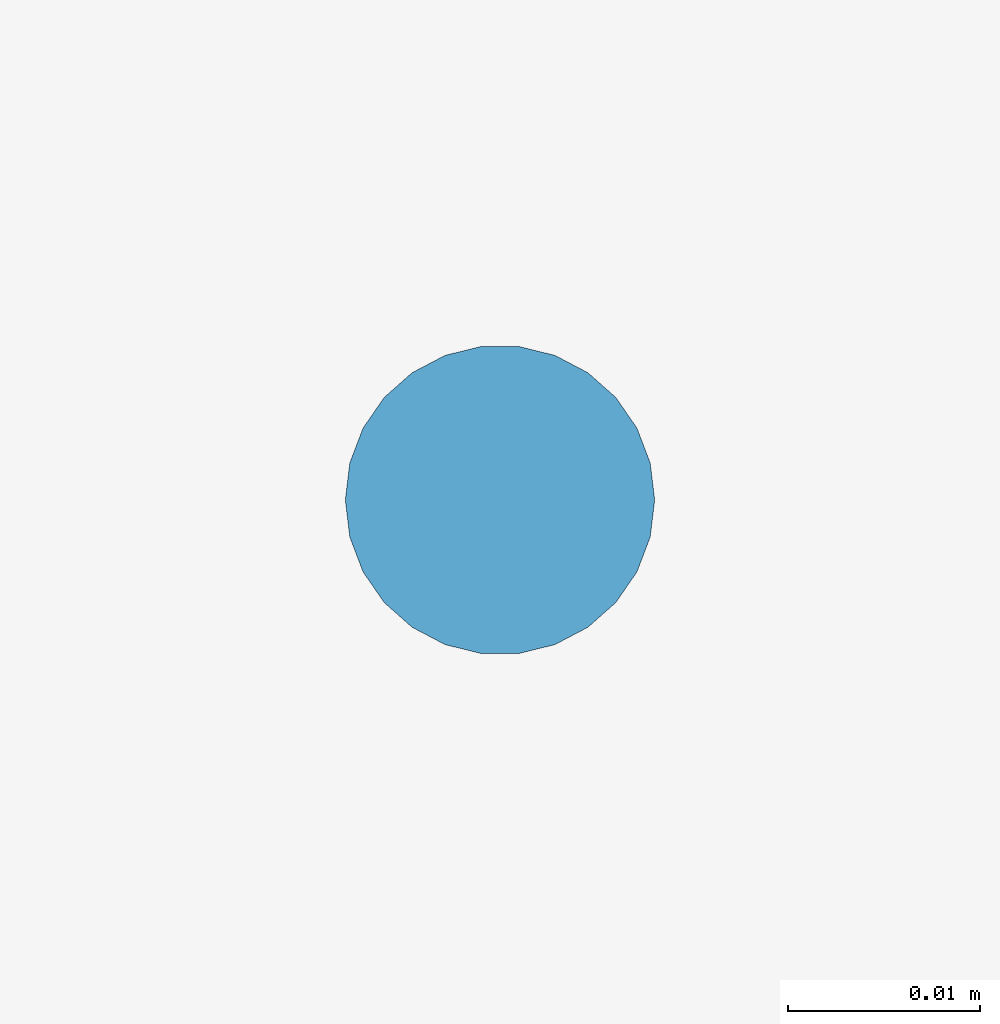
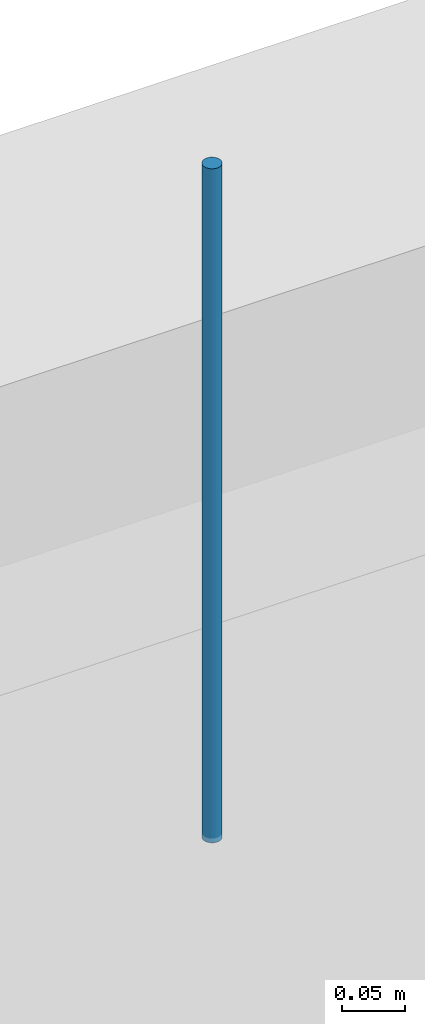
# One storey, part 71 of 77: 1 discrete accessory.
"""IFC4 building model written with IfcOpenShell, lengths in metres."""

from ifc_helpers import new_model, si_unit, direction, frame, origin, origin_2d, place, context, subcontext, project, spatial, circle, extrude, material, type_object, element, save


model = new_model("IFC4")

# Units and contexts
model_context = context("Model", 3, precision=1e-05, world=origin(), true_north=direction((0.0, 1.0)))
body_context = subcontext(model_context, "Body", "Model", "MODEL_VIEW")
ifc_project = project(units=[si_unit("LENGTHUNIT", "METRE"), si_unit("AREAUNIT", "SQUARE_METRE"), si_unit("VOLUMEUNIT", "CUBIC_METRE"), si_unit("PLANEANGLEUNIT", "RADIAN"), si_unit("MASSUNIT", "GRAM", prefix="KILO")], contexts=[model_context])

# Site, building, storey
site_placement = place(None, origin())
site = spatial("IfcSite", under=ifc_project, at=site_placement, CompositionType="ELEMENT")
building_placement = place(site_placement, origin())
building = spatial("IfcBuilding", under=site, at=building_placement, Name="Yukiwa Park Conservatory and Herbarium", CompositionType="ELEMENT")
storey_placement = place(building_placement, frame((0.0, 0.0, 13.199951171875)))
storey = spatial("IfcBuildingStorey", under=building, at=storey_placement, Name="L03", CompositionType="ELEMENT", Elevation=13.199951171875)

# Discrete accessory
ifc_material = material(Name="Steel Q235B", Category="steel")
discrete_accessory_type = type_object("IfcDiscreteAccessoryType", Name="ACC-CEILING-HANGER", PredefinedType="BRACKET", material=ifc_material)
discrete_accessory_placement = place(storey_placement, frame((118.39990234375, 114.0, 3.275146484375), z_axis=(0.0, 0.0, 1.0), x_axis=(1.0, 0.0, 0.0)))
element("IfcDiscreteAccessory", 1, at=discrete_accessory_placement, inside=storey, type_object=discrete_accessory_type, Name="Ceiling suspension hanger rod 20", PredefinedType="BRACKET", context=body_context, shape_type="SweptSolid", body=[
    extrude(circle(Radius=0.008056640625, at=origin_2d()), origin(), (0.0, 0.0, 1.0), 0.64990234375),
])

save(model, "model.ifc")
